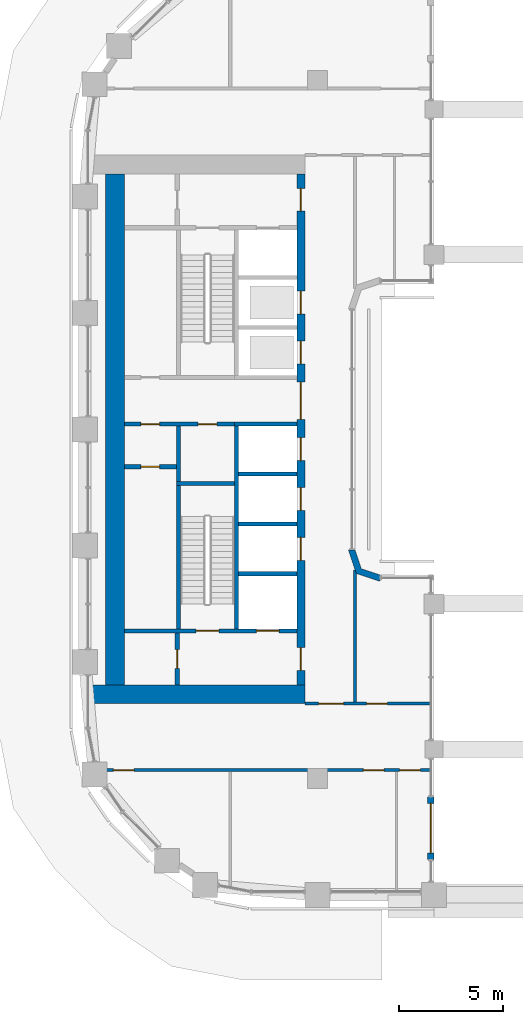
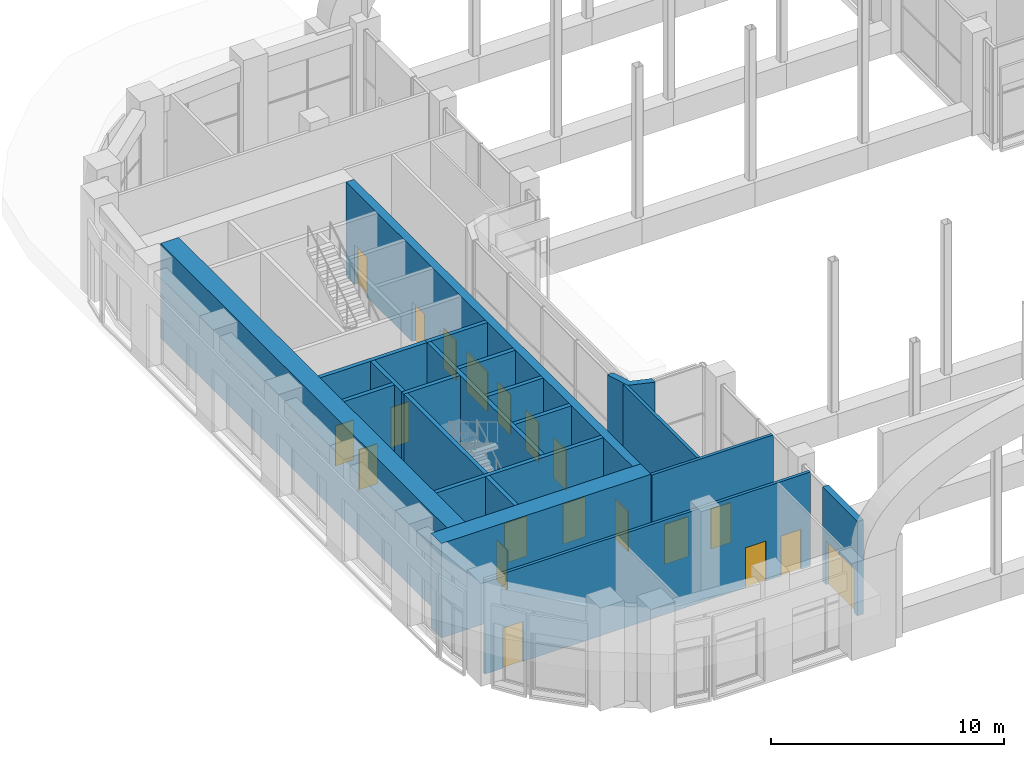
# One storey, part 15 of 28: 20 doors, 20 walls, 20 openings.
"""IFC4 building model written with IfcOpenShell, lengths in metres."""

from ifc_helpers import new_model, si_unit, direction, frame, frame_2d, origin, place, context, subcontext, project, spatial, polyline, rectangle, outline, extrude, material, layer, layer_set, type_object, element, fill, save


model = new_model("IFC4")

# Units and contexts
model_context = context("Model", 3, precision=1e-05, world=origin(), true_north=direction((0.0, 1.0)))
body_context = subcontext(model_context, "Body", "Model", "MODEL_VIEW")
ifc_project = project(units=[si_unit("LENGTHUNIT", "METRE"), si_unit("AREAUNIT", "SQUARE_METRE"), si_unit("VOLUMEUNIT", "CUBIC_METRE"), si_unit("PLANEANGLEUNIT", "RADIAN"), si_unit("MASSUNIT", "GRAM", prefix="KILO")], contexts=[model_context])

# Site, building, storey
site_placement = place(None, origin())
site = spatial("IfcSite", under=ifc_project, at=site_placement, CompositionType="ELEMENT")
building_placement = place(site_placement, origin())
building = spatial("IfcBuilding", under=site, at=building_placement, Name="Kiln Ring Residences", CompositionType="ELEMENT")
storey_placement = place(building_placement, frame((0.0, 0.0, 125.300048828125)))
storey = spatial("IfcBuildingStorey", under=building, at=storey_placement, Name="L32", CompositionType="ELEMENT", Elevation=125.300048828125)

# Wall
ifc_material_1 = material(Name="Gypsum board on steel studs", Category="steel")
ifc_layer_1 = layer(ifc_material_1, 0.199951171875)
ifc_layer_set_1 = layer_set([ifc_layer_1], Name="CORE-PARTITION-200")
wall_type_1 = type_object("IfcWallType", Name="CORE-PARTITION-200", PredefinedType="PARTITIONING", material=ifc_layer_set_1)
wall_1_placement = place(storey_placement, frame((-23.5, -2.5, 0.0), z_axis=(0.0, 0.0, 1.0), x_axis=(0.0, 1.0, 0.0)))
element("IfcWall", 1, at=wall_1_placement, inside=storey, type_object=wall_type_1, Name="Core partition west L32 1", PredefinedType="PARTITIONING", context=body_context, shape_type="SweptSolid", body=[
    extrude(rectangle(XDim=2.64990234375, YDim=0.199951171875, at=frame_2d((1.324951171875, 0.0))), origin(), (0.0, 0.0, 1.0), 4.949951171875),
])

# Wall, openings, doors
wall_2_placement = place(storey_placement, frame((-20.800048828125, 0.25, 0.0), z_axis=(0.0, 0.0, 1.0), x_axis=(-1.0, 0.0, 0.0)))
wall_2 = element("IfcWall", 2, at=wall_2_placement, inside=storey, type_object=wall_type_1, Name="Core partition west L32 2", PredefinedType="PARTITIONING", context=body_context, shape_type="SweptSolid", body=[
    extrude(rectangle(XDim=5.300048828125, YDim=0.199951171875, at=frame_2d((2.64990234375, 0.0))), origin(), (0.0, 0.0, 1.0), 4.949951171875),
])
opening_1_placement = place(wall_2_placement, frame((0.85009765625, 0.0, 0.0)))
opening_1 = element("IfcOpeningElement", 3, at=opening_1_placement, cuts=wall_2, Name="Opening L32-CW15", PredefinedType="OPENING", context=body_context, shape_type="SweptSolid", body=[
    extrude(rectangle(XDim=0.89990234375, YDim=2.10009765625, at=frame_2d((0.449951171875, 1.050048828125))), frame((0.0, 0.10986328125, 0.0), z_axis=(0.0, -1.0, 0.0), x_axis=(1.0, 0.0, 0.0)), (0.0, 0.0, 1.0), 0.219970703125),
])
opening_2_placement = place(wall_2_placement, frame((3.60009765625, 0.0, 0.0)))
opening_2 = element("IfcOpeningElement", 4, at=opening_2_placement, cuts=wall_2, Name="Opening L32-CW17", PredefinedType="OPENING", context=body_context, shape_type="SweptSolid", body=[
    extrude(rectangle(XDim=0.89990234375, YDim=2.10009765625, at=frame_2d((0.449951171875, 1.050048828125))), frame((0.0, 0.10986328125, 0.0), z_axis=(0.0, -1.0, 0.0), x_axis=(1.0, 0.0, 0.0)), (0.0, 0.0, 1.0), 0.219970703125),
])
ifc_material_2 = material(Name="Steel door leaf", Category="steel")
door_type_1 = type_object("IfcDoorType", Name="CORE-DOOR-ROOM", OperationType="SINGLE_SWING_LEFT", PredefinedType="DOOR", material=ifc_material_2)
door_1_placement = place(opening_1_placement, origin())
door_1 = element("IfcDoor", 5, at=door_1_placement, inside=storey, type_object=door_type_1, Name="Linen store L32-CW15", OperationType="SINGLE_SWING_LEFT", OverallHeight=2.10009765625, OverallWidth=0.89990234375, PredefinedType="DOOR", context=body_context, shape_type="SweptSolid", body=[
    extrude(rectangle(XDim=0.89990234375, YDim=2.10009765625, at=frame_2d((0.449951171875, 1.050048828125))), frame((0.0, 0.02490234375, 0.0), z_axis=(0.0, -1.0, 0.0), x_axis=(1.0, 0.0, 0.0)), (0.0, 0.0, 1.0), 0.050048828125),
])
fill(opening_1, door_1)
door_2_placement = place(opening_2_placement, origin())
door_2 = element("IfcDoor", 6, at=door_2_placement, inside=storey, type_object=door_type_1, Name="Pump and valve room L32-CW17", OperationType="SINGLE_SWING_LEFT", OverallHeight=2.10009765625, OverallWidth=0.89990234375, PredefinedType="DOOR", context=body_context, shape_type="SweptSolid", body=[
    extrude(rectangle(XDim=0.89990234375, YDim=2.10009765625, at=frame_2d((0.449951171875, 1.050048828125))), frame((0.0, 0.02490234375, 0.0), z_axis=(0.0, -1.0, 0.0), x_axis=(1.0, 0.0, 0.0)), (0.0, 0.0, 1.0), 0.050048828125),
])
fill(opening_2, door_2)

# Wall, opening, door
wall_3_placement = place(storey_placement, frame((-23.550048828125, -12.300048828125, 0.0), z_axis=(0.0, 0.0, 1.0), x_axis=(0.0, 1.0, 0.0)))
wall_3 = element("IfcWall", 7, at=wall_3_placement, inside=storey, type_object=wall_type_1, Name="Core partition west L32 4", PredefinedType="PARTITIONING", context=body_context, shape_type="SweptSolid", body=[
    extrude(rectangle(XDim=2.5, YDim=0.199951171875, at=frame_2d((1.25, 0.0))), origin(), (0.0, 0.0, 1.0), 4.949951171875),
])
opening_3_placement = place(wall_3_placement, frame((0.800048828125, 0.0, 0.0)))
opening_3 = element("IfcOpeningElement", 8, at=opening_3_placement, cuts=wall_3, Name="Opening L32-CW11", PredefinedType="OPENING", context=body_context, shape_type="SweptSolid", body=[
    extrude(rectangle(XDim=0.89990234375, YDim=2.10009765625, at=frame_2d((0.449951171875, 1.050048828125))), frame((0.0, 0.10986328125, 0.0), z_axis=(0.0, -1.0, 0.0), x_axis=(1.0, 0.0, 0.0)), (0.0, 0.0, 1.0), 0.219970703125),
])
door_3_placement = place(opening_3_placement, origin())
door_3 = element("IfcDoor", 9, at=door_3_placement, inside=storey, type_object=door_type_1, Name="Store L32-CW11", OperationType="SINGLE_SWING_LEFT", OverallHeight=2.10009765625, OverallWidth=0.89990234375, PredefinedType="DOOR", context=body_context, shape_type="SweptSolid", body=[
    extrude(rectangle(XDim=0.89990234375, YDim=2.10009765625, at=frame_2d((0.449951171875, 1.050048828125))), frame((0.0, 0.02490234375, 0.0), z_axis=(0.0, -1.0, 0.0), x_axis=(1.0, 0.0, 0.0)), (0.0, 0.0, 1.0), 0.050048828125),
])
fill(opening_3, door_3)

wall_4_placement = place(storey_placement, frame((-23.60009765625, -1.800048828125, 0.0), z_axis=(0.0, 0.0, 1.0), x_axis=(-1.0, 0.0, 0.0)))
wall_4 = element("IfcWall", 10, at=wall_4_placement, inside=storey, type_object=wall_type_1, Name="Core partition west L32 5", PredefinedType="PARTITIONING", context=body_context, shape_type="SweptSolid", body=[
    extrude(rectangle(XDim=2.5, YDim=0.199951171875, at=frame_2d((1.25, 0.0))), origin(), (0.0, 0.0, 1.0), 4.949951171875),
])
opening_4_placement = place(wall_4_placement, frame((0.800048828125, 0.0, 0.0)))
opening_4 = element("IfcOpeningElement", 11, at=opening_4_placement, cuts=wall_4, Name="Opening L32-CW16", PredefinedType="OPENING", context=body_context, shape_type="SweptSolid", body=[
    extrude(rectangle(XDim=0.89990234375, YDim=2.10009765625, at=frame_2d((0.449951171875, 1.050048828125))), frame((0.0, 0.10986328125, 0.0), z_axis=(0.0, -1.0, 0.0), x_axis=(1.0, 0.0, 0.0)), (0.0, 0.0, 1.0), 0.219970703125),
])
door_4_placement = place(opening_4_placement, origin())
door_4 = element("IfcDoor", 12, at=door_4_placement, inside=storey, type_object=door_type_1, Name="Pump and valve room L32-CW16", OperationType="SINGLE_SWING_LEFT", OverallHeight=2.10009765625, OverallWidth=0.89990234375, PredefinedType="DOOR", context=body_context, shape_type="SweptSolid", body=[
    extrude(rectangle(XDim=0.89990234375, YDim=2.10009765625, at=frame_2d((0.449951171875, 1.050048828125))), frame((0.0, 0.02490234375, 0.0), z_axis=(0.0, -1.0, 0.0), x_axis=(1.0, 0.0, 0.0)), (0.0, 0.0, 1.0), 0.050048828125),
])
fill(opening_4, door_4)

# Walls
ifc_material_3 = material(Name="Gypsum shaft wall system")
ifc_layer_2 = layer(ifc_material_3, 0.199951171875)
ifc_layer_set_2 = layer_set([ifc_layer_2], Name="CORE-SHAFT-WALL-200")
wall_type_2 = type_object("IfcWallType", Name="CORE-SHAFT-WALL-200", PredefinedType="PARTITIONING", material=ifc_layer_set_2)
for number, where, z_axis, x_axis, name in (
    (13, (-17.800048828125, -6.949951171875, 0.0), (0.0, 0.0, 1.0), (-1.0, 0.0, 0.0), "Core partition west L32 6"),
    (14, (-17.800048828125, -4.550048828125, 0.0), (0.0, 0.0, 1.0), (-1.0, 0.0, 0.0), "Core partition west L32 7"),
    (15, (-17.800048828125, -2.14990234375, 0.0), (0.0, 0.0, 1.0), (-1.0, 0.0, 0.0), "Core partition west L32 8"),
):
    element("IfcWall", number, at=place(storey_placement, frame(where, z_axis=z_axis, x_axis=x_axis)), inside=storey, type_object=wall_type_2, Name=name, PredefinedType="PARTITIONING", context=body_context, shape_type="SweptSolid", body=[
        extrude(rectangle(XDim=2.800048828125, YDim=0.199951171875, at=frame_2d((1.39990234375, 0.0))), origin(), (0.0, 0.0, 1.0), 4.949951171875),
    ])
wall_5_placement = place(storey_placement, frame((-17.800048828125, 0.25, 0.0), z_axis=(0.0, 0.0, 1.0), x_axis=(-1.0, 0.0, 0.0)))
element("IfcWall", 16, at=wall_5_placement, inside=storey, type_object=wall_type_2, Name="Core partition west L32 9", PredefinedType="PARTITIONING", context=body_context, shape_type="SweptSolid", body=[
    extrude(rectangle(XDim=3.0, YDim=0.199951171875, at=frame_2d((1.5, 0.0))), origin(), (0.0, 0.0, 1.0), 4.949951171875),
])
ifc_material_4 = material(Name="Concrete C40/50", Category="concrete")
ifc_layer_3 = layer(ifc_material_4, 0.199951171875)
ifc_layer_set_3 = layer_set([ifc_layer_3], Name="CORE-WALL-RC200")
wall_type_3 = type_object("IfcWallType", Name="CORE-WALL-RC200", PredefinedType="SHEAR", material=ifc_layer_set_3)
wall_6_placement = place(storey_placement, frame((-20.699951171875, -9.60009765625, 0.0), z_axis=(0.0, 0.0, 1.0), x_axis=(0.0, 1.0, 0.0)))
element("IfcWall", 17, at=wall_6_placement, inside=storey, type_object=wall_type_3, Name="Core wall west L32 2", PredefinedType="SHEAR", context=body_context, shape_type="SweptSolid", body=[
    extrude(rectangle(XDim=9.75, YDim=0.199951171875, at=frame_2d((4.875, 0.0))), origin(), (0.0, 0.0, 1.0), 4.949951171875),
])

# Wall, openings, doors
wall_7_placement = place(storey_placement, frame((-17.800048828125, -9.699951171875, 0.0), z_axis=(0.0, 0.0, 1.0), x_axis=(-1.0, 0.0, 0.0)))
wall_7 = element("IfcWall", 18, at=wall_7_placement, inside=storey, type_object=wall_type_3, Name="Core wall west L32 8", PredefinedType="SHEAR", context=body_context, shape_type="SweptSolid", body=[
    extrude(rectangle(XDim=8.300048828125, YDim=0.199951171875, at=frame_2d((4.14990234375, 0.0))), origin(), (0.0, 0.0, 1.0), 4.949951171875),
])
opening_5_placement = place(wall_7_placement, frame((0.85009765625, 0.0, 0.0)))
opening_5 = element("IfcOpeningElement", 19, at=opening_5_placement, cuts=wall_7, Name="Opening L32-CW01", PredefinedType="OPENING", context=body_context, shape_type="SweptSolid", body=[
    extrude(rectangle(XDim=1.10009765625, YDim=2.10009765625, at=frame_2d((0.550048828125, 1.050048828125))), frame((0.0, 0.10986328125, 0.0), z_axis=(0.0, -1.0, 0.0), x_axis=(1.0, 0.0, 0.0)), (0.0, 0.0, 1.0), 0.219970703125),
])
opening_6_placement = place(wall_7_placement, frame((3.75, 0.0, 0.0)))
opening_6 = element("IfcOpeningElement", 20, at=opening_6_placement, cuts=wall_7, Name="Opening L32-CW13", PredefinedType="OPENING", context=body_context, shape_type="SweptSolid", body=[
    extrude(rectangle(XDim=1.10009765625, YDim=2.10009765625, at=frame_2d((0.550048828125, 1.050048828125))), frame((0.0, 0.10986328125, 0.0), z_axis=(0.0, -1.0, 0.0), x_axis=(1.0, 0.0, 0.0)), (0.0, 0.0, 1.0), 0.219970703125),
])
ifc_material_5 = material(Name="Steel door leaf", Category="steel")
door_type_2 = type_object("IfcDoorType", Name="CORE-DOOR-LD", OperationType="DOUBLE_DOOR_SLIDING", PredefinedType="DOOR", material=ifc_material_5)
door_5_placement = place(opening_5_placement, origin())
door_5 = element("IfcDoor", 21, at=door_5_placement, inside=storey, type_object=door_type_2, Name="LD W-SV L32-CW01", OperationType="DOUBLE_DOOR_SLIDING", OverallHeight=2.10009765625, OverallWidth=1.10009765625, PredefinedType="DOOR", context=body_context, shape_type="SweptSolid", body=[
    extrude(rectangle(XDim=1.10009765625, YDim=2.10009765625, at=frame_2d((0.550048828125, 1.050048828125))), frame((0.0, 0.02490234375, 0.0), z_axis=(0.0, -1.0, 0.0), x_axis=(1.0, 0.0, 0.0)), (0.0, 0.0, 1.0), 0.050048828125),
])
fill(opening_5, door_5)
ifc_material_6 = material(Name="Steel door leaf", Category="steel")
door_type_3 = type_object("IfcDoorType", Name="CORE-DOOR-STAIR", OperationType="SINGLE_SWING_LEFT", PredefinedType="DOOR", material=ifc_material_6)
door_6_placement = place(opening_6_placement, origin())
door_6 = element("IfcDoor", 22, at=door_6_placement, inside=storey, type_object=door_type_3, Name="Stair W-STS L32-CW13", OperationType="SINGLE_SWING_RIGHT", OverallHeight=2.10009765625, OverallWidth=1.10009765625, PredefinedType="DOOR", context=body_context, shape_type="SweptSolid", body=[
    extrude(rectangle(XDim=1.10009765625, YDim=2.10009765625, at=frame_2d((0.550048828125, 1.050048828125))), frame((0.0, 0.02490234375, 0.0), z_axis=(0.0, -1.0, 0.0), x_axis=(1.0, 0.0, 0.0)), (0.0, 0.0, 1.0), 0.050048828125),
])
fill(opening_6, door_6)

# Walls
wall_8_placement = place(storey_placement, frame((-23.5, -9.60009765625, 0.0), z_axis=(0.0, 0.0, 1.0), x_axis=(0.0, 1.0, 0.0)))
element("IfcWall", 23, at=wall_8_placement, inside=storey, type_object=wall_type_3, Name="Core wall west L32 11", PredefinedType="SHEAR", context=body_context, shape_type="SweptSolid", body=[
    extrude(rectangle(XDim=6.900146484375, YDim=0.199951171875, at=frame_2d((3.4501953125, 0.0))), origin(), (0.0, 0.0, 1.0), 4.949951171875),
])
wall_9_placement = place(storey_placement, frame((-20.800048828125, -2.60009765625, 0.0), z_axis=(0.0, 0.0, 1.0), x_axis=(-1.0, 0.0, 0.0)))
element("IfcWall", 24, at=wall_9_placement, inside=storey, type_object=wall_type_3, Name="Core wall west L32 12", PredefinedType="SHEAR", context=body_context, shape_type="SweptSolid", body=[
    extrude(rectangle(XDim=2.800048828125, YDim=0.199951171875, at=frame_2d((1.39990234375, 0.0))), origin(), (0.0, 0.0, 1.0), 4.949951171875),
])

# Wall, openings, doors
ifc_material_7 = material(Name="Concrete C60/75", Category="concrete")
ifc_layer_4 = layer(ifc_material_7, 0.39990234375)
ifc_layer_set_4 = layer_set([ifc_layer_4], Name="CORE-WALL-RC400")
wall_type_4 = type_object("IfcWallType", Name="CORE-WALL-RC400", PredefinedType="SHEAR", material=ifc_layer_set_4)
wall_10_placement = place(storey_placement, frame((-17.60009765625, -12.300048828125, 0.0), z_axis=(0.0, 0.0, 1.0), x_axis=(0.0, 1.0, 0.0)))
wall_10 = element("IfcWall", 25, at=wall_10_placement, inside=storey, type_object=wall_type_4, Name="Core wall west L32 6", PredefinedType="SHEAR", context=body_context, shape_type="SweptSolid", body=[
    extrude(rectangle(XDim=24.60009765625, YDim=0.39990234375, at=frame_2d((12.300048828125, 0.0))), origin(), (0.0, 0.0, 1.0), 4.949951171875),
])
opening_7_placement = place(wall_10_placement, frame((6.0, 0.0, 0.0)))
opening_7 = element("IfcOpeningElement", 26, at=opening_7_placement, cuts=wall_10, Name="Opening L32-CW02", PredefinedType="OPENING", context=body_context, shape_type="SweptSolid", body=[
    extrude(rectangle(XDim=1.10009765625, YDim=2.10009765625, at=frame_2d((0.550048828125, 1.050048828125))), frame((0.0, 0.2099609375, 0.0), z_axis=(0.0, -1.0, 0.0), x_axis=(1.0, 0.0, 0.0)), (0.0, 0.0, 1.0), 0.419921875),
])
opening_8_placement = place(wall_10_placement, frame((8.39990234375, 0.0, 0.0)))
opening_8 = element("IfcOpeningElement", 27, at=opening_8_placement, cuts=wall_10, Name="Opening L32-CW03", PredefinedType="OPENING", context=body_context, shape_type="SweptSolid", body=[
    extrude(rectangle(XDim=1.10009765625, YDim=2.10009765625, at=frame_2d((0.550048828125, 1.050048828125))), frame((0.0, 0.2099609375, 0.0), z_axis=(0.0, -1.0, 0.0), x_axis=(1.0, 0.0, 0.0)), (0.0, 0.0, 1.0), 0.419921875),
])
opening_9_placement = place(wall_10_placement, frame((10.800048828125, 0.0, 0.0)))
opening_9 = element("IfcOpeningElement", 28, at=opening_9_placement, cuts=wall_10, Name="Opening L32-CW04", PredefinedType="OPENING", context=body_context, shape_type="SweptSolid", body=[
    extrude(rectangle(XDim=1.10009765625, YDim=2.10009765625, at=frame_2d((0.550048828125, 1.050048828125))), frame((0.0, 0.2099609375, 0.0), z_axis=(0.0, -1.0, 0.0), x_axis=(1.0, 0.0, 0.0)), (0.0, 0.0, 1.0), 0.419921875),
])
opening_10_placement = place(wall_10_placement, frame((15.449951171875, 0.0, 0.0)))
opening_10 = element("IfcOpeningElement", 29, at=opening_10_placement, cuts=wall_10, Name="Opening L32-CW05", PredefinedType="OPENING", context=body_context, shape_type="SweptSolid", body=[
    extrude(rectangle(XDim=1.10009765625, YDim=2.10009765625, at=frame_2d((0.550048828125, 1.050048828125))), frame((0.0, 0.2099609375, 0.0), z_axis=(0.0, -1.0, 0.0), x_axis=(1.0, 0.0, 0.0)), (0.0, 0.0, 1.0), 0.419921875),
])
opening_11_placement = place(wall_10_placement, frame((17.85009765625, 0.0, 0.0)))
opening_11 = element("IfcOpeningElement", 30, at=opening_11_placement, cuts=wall_10, Name="Opening L32-CW06", PredefinedType="OPENING", context=body_context, shape_type="SweptSolid", body=[
    extrude(rectangle(XDim=1.10009765625, YDim=2.10009765625, at=frame_2d((0.550048828125, 1.050048828125))), frame((0.0, 0.2099609375, 0.0), z_axis=(0.0, -1.0, 0.0), x_axis=(1.0, 0.0, 0.0)), (0.0, 0.0, 1.0), 0.419921875),
])
opening_12_placement = place(wall_10_placement, frame((22.800048828125, 0.0, 0.0)))
opening_12 = element("IfcOpeningElement", 31, at=opening_12_placement, cuts=wall_10, Name="Opening L32-CW08", PredefinedType="OPENING", context=body_context, shape_type="SweptSolid", body=[
    extrude(rectangle(XDim=1.10009765625, YDim=2.10009765625, at=frame_2d((0.550048828125, 1.050048828125))), frame((0.0, 0.2099609375, 0.0), z_axis=(0.0, -1.0, 0.0), x_axis=(1.0, 0.0, 0.0)), (0.0, 0.0, 1.0), 0.419921875),
])
opening_13_placement = place(wall_10_placement, frame((0.699951171875, 0.0, 0.0)))
opening_13 = element("IfcOpeningElement", 32, at=opening_13_placement, cuts=wall_10, Name="Opening L32-CW09", PredefinedType="OPENING", context=body_context, shape_type="SweptSolid", body=[
    extrude(rectangle(XDim=1.10009765625, YDim=2.10009765625, at=frame_2d((0.550048828125, 1.050048828125))), frame((0.0, 0.2099609375, 0.0), z_axis=(0.0, -1.0, 0.0), x_axis=(1.0, 0.0, 0.0)), (0.0, 0.0, 1.0), 0.419921875),
])
opening_14_placement = place(wall_10_placement, frame((12.77490234375, 0.0, 0.0)))
opening_14 = element("IfcOpeningElement", 33, at=opening_14_placement, cuts=wall_10, Name="Opening L32-CW14", PredefinedType="OPENING", context=body_context, shape_type="SweptSolid", body=[
    extrude(rectangle(XDim=1.800048828125, YDim=2.10009765625, at=frame_2d((0.89990234375, 1.050048828125))), frame((0.0, 0.2099609375, 0.0), z_axis=(0.0, -1.0, 0.0), x_axis=(1.0, 0.0, 0.0)), (0.0, 0.0, 1.0), 0.419921875),
])
door_7_placement = place(opening_7_placement, origin())
door_7 = element("IfcDoor", 34, at=door_7_placement, inside=storey, type_object=door_type_2, Name="LD W-L1 L32-CW02", OperationType="DOUBLE_DOOR_SLIDING", OverallHeight=2.10009765625, OverallWidth=1.10009765625, PredefinedType="DOOR", context=body_context, shape_type="SweptSolid", body=[
    extrude(rectangle(XDim=1.10009765625, YDim=2.10009765625, at=frame_2d((0.550048828125, 1.050048828125))), frame((0.0, 0.02490234375, 0.0), z_axis=(0.0, -1.0, 0.0), x_axis=(1.0, 0.0, 0.0)), (0.0, 0.0, 1.0), 0.050048828125),
])
fill(opening_7, door_7)
door_8_placement = place(opening_8_placement, origin())
door_8 = element("IfcDoor", 35, at=door_8_placement, inside=storey, type_object=door_type_2, Name="LD W-L2 L32-CW03", OperationType="DOUBLE_DOOR_SLIDING", OverallHeight=2.10009765625, OverallWidth=1.10009765625, PredefinedType="DOOR", context=body_context, shape_type="SweptSolid", body=[
    extrude(rectangle(XDim=1.10009765625, YDim=2.10009765625, at=frame_2d((0.550048828125, 1.050048828125))), frame((0.0, 0.02490234375, 0.0), z_axis=(0.0, -1.0, 0.0), x_axis=(1.0, 0.0, 0.0)), (0.0, 0.0, 1.0), 0.050048828125),
])
fill(opening_8, door_8)
door_9_placement = place(opening_9_placement, origin())
door_9 = element("IfcDoor", 36, at=door_9_placement, inside=storey, type_object=door_type_2, Name="LD W-L3 L32-CW04", OperationType="DOUBLE_DOOR_SLIDING", OverallHeight=2.10009765625, OverallWidth=1.10009765625, PredefinedType="DOOR", context=body_context, shape_type="SweptSolid", body=[
    extrude(rectangle(XDim=1.10009765625, YDim=2.10009765625, at=frame_2d((0.550048828125, 1.050048828125))), frame((0.0, 0.02490234375, 0.0), z_axis=(0.0, -1.0, 0.0), x_axis=(1.0, 0.0, 0.0)), (0.0, 0.0, 1.0), 0.050048828125),
])
fill(opening_9, door_9)
door_10_placement = place(opening_10_placement, origin())
door_10 = element("IfcDoor", 37, at=door_10_placement, inside=storey, type_object=door_type_2, Name="LD W-M1 L32-CW05", OperationType="DOUBLE_DOOR_SLIDING", OverallHeight=2.10009765625, OverallWidth=1.10009765625, PredefinedType="DOOR", context=body_context, shape_type="SweptSolid", body=[
    extrude(rectangle(XDim=1.10009765625, YDim=2.10009765625, at=frame_2d((0.550048828125, 1.050048828125))), frame((0.0, 0.02490234375, 0.0), z_axis=(0.0, -1.0, 0.0), x_axis=(1.0, 0.0, 0.0)), (0.0, 0.0, 1.0), 0.050048828125),
])
fill(opening_10, door_10)
door_11_placement = place(opening_11_placement, origin())
door_11 = element("IfcDoor", 38, at=door_11_placement, inside=storey, type_object=door_type_2, Name="LD W-M2 L32-CW06", OperationType="DOUBLE_DOOR_SLIDING", OverallHeight=2.10009765625, OverallWidth=1.10009765625, PredefinedType="DOOR", context=body_context, shape_type="SweptSolid", body=[
    extrude(rectangle(XDim=1.10009765625, YDim=2.10009765625, at=frame_2d((0.550048828125, 1.050048828125))), frame((0.0, 0.02490234375, 0.0), z_axis=(0.0, -1.0, 0.0), x_axis=(1.0, 0.0, 0.0)), (0.0, 0.0, 1.0), 0.050048828125),
])
fill(opening_11, door_11)
ifc_material_8 = material(Name="Steel door leaf", Category="steel")
door_type_4 = type_object("IfcDoorType", Name="CORE-DOOR-LOBBY", OperationType="SINGLE_SWING_LEFT", PredefinedType="DOOR", material=ifc_material_8)
door_12_placement = place(opening_12_placement, origin())
door_12 = element("IfcDoor", 39, at=door_12_placement, inside=storey, type_object=door_type_4, Name="FFL L32-CW08", OperationType="SINGLE_SWING_LEFT", OverallHeight=2.10009765625, OverallWidth=1.10009765625, PredefinedType="DOOR", context=body_context, shape_type="SweptSolid", body=[
    extrude(rectangle(XDim=1.10009765625, YDim=2.10009765625, at=frame_2d((0.550048828125, 1.050048828125))), frame((0.0, 0.02490234375, 0.0), z_axis=(0.0, -1.0, 0.0), x_axis=(1.0, 0.0, 0.0)), (0.0, 0.0, 1.0), 0.050048828125),
])
fill(opening_12, door_12)
door_13_placement = place(opening_13_placement, origin())
door_13 = element("IfcDoor", 40, at=door_13_placement, inside=storey, type_object=door_type_4, Name="SVL L32-CW09", OperationType="SINGLE_SWING_RIGHT", OverallHeight=2.10009765625, OverallWidth=1.10009765625, PredefinedType="DOOR", context=body_context, shape_type="SweptSolid", body=[
    extrude(rectangle(XDim=1.10009765625, YDim=2.10009765625, at=frame_2d((0.550048828125, 1.050048828125))), frame((0.0, 0.02490234375, 0.0), z_axis=(0.0, -1.0, 0.0), x_axis=(1.0, 0.0, 0.0)), (0.0, 0.0, 1.0), 0.050048828125),
])
fill(opening_13, door_13)
ifc_material_9 = material(Name="Steel door leaf", Category="steel")
door_type_5 = type_object("IfcDoorType", Name="CORE-DOOR-PASS", OperationType="DOUBLE_DOOR_SINGLE_SWING", PredefinedType="DOOR", material=ifc_material_9)
door_14_placement = place(opening_14_placement, origin())
door_14 = element("IfcDoor", 41, at=door_14_placement, inside=storey, type_object=door_type_5, Name="Core passage L32-CW14", OperationType="DOUBLE_DOOR_SINGLE_SWING", OverallHeight=2.10009765625, OverallWidth=1.800048828125, PredefinedType="DOOR", context=body_context, shape_type="SweptSolid", body=[
    extrude(rectangle(XDim=1.800048828125, YDim=2.10009765625, at=frame_2d((0.89990234375, 1.050048828125))), frame((0.0, 0.02490234375, 0.0), z_axis=(0.0, -1.0, 0.0), x_axis=(1.0, 0.0, 0.0)), (0.0, 0.0, 1.0), 0.050048828125),
])
fill(opening_14, door_14)

# Walls
ifc_material_10 = material(Name="Concrete C60/75", Category="concrete")
ifc_layer_5 = layer(ifc_material_10, 0.89990234375)
ifc_layer_set_5 = layer_set([ifc_layer_5], Name="CORE-WALL-RC900")
wall_type_5 = type_object("IfcWallType", Name="CORE-WALL-RC900", PredefinedType="SHEAR", material=ifc_layer_set_5)
wall_11_placement = place(storey_placement, frame((-17.39990234375, -12.75, 0.0), z_axis=(0.0, 0.0, 1.0), x_axis=(-1.0, 0.0, 0.0)))
element("IfcWall", 42, at=wall_11_placement, inside=storey, type_object=wall_type_5, Name="Core wall west L32 5", PredefinedType="SHEAR", context=body_context, shape_type="SweptSolid", body=[
    extrude(rectangle(XDim=10.400146484375, YDim=0.89990234375, at=frame_2d((5.2001953125, 0.0))), origin(), (0.0, 0.0, 1.0), 4.949951171875),
])
wall_12_placement = place(storey_placement, frame((-26.550048828125, -12.300048828125, 0.0), z_axis=(0.0, 0.0, 1.0), x_axis=(0.0, 1.0, 0.0)))
element("IfcWall", 43, at=wall_12_placement, inside=storey, type_object=wall_type_5, Name="Core wall west L32 7", PredefinedType="SHEAR", context=body_context, shape_type="SweptSolid", body=[
    extrude(rectangle(XDim=24.60009765625, YDim=0.89990234375, at=frame_2d((12.300048828125, 0.0))), origin(), (0.0, 0.0, 1.0), 4.949951171875),
])

# Wall, opening, door
ifc_material_11 = material(Name="Brick masonry, dark clay brick", Category="masonry")
ifc_layer_6 = layer(ifc_material_11, 0.300048828125)
ifc_layer_set_6 = layer_set([ifc_layer_6], Name="EW-300 BRICK WALL")
wall_type_6 = type_object("IfcWallType", Name="EW-300 BRICK WALL", PredefinedType="SOLIDWALL", material=ifc_layer_set_6)
wall_13_placement = place(storey_placement, frame((-11.35009765625, -20.699951171875, 0.0), z_axis=(0.0, 0.0, 1.0), x_axis=(0.0, 1.0, 0.0)))
wall_13 = element("IfcWall", 44, at=wall_13_placement, inside=storey, type_object=wall_type_6, Name="Facade wall L32 1", PredefinedType="SOLIDWALL", context=body_context, shape_type="SweptSolid", body=[
    extrude(rectangle(XDim=3.0, YDim=0.300048828125, at=frame_2d((1.5, 0.0))), origin(), (0.0, 0.0, 1.0), 4.949951171875),
])
opening_15_placement = place(wall_13_placement, frame((0.300048828125, 0.0, 0.0)))
opening_15 = element("IfcOpeningElement", 45, at=opening_15_placement, cuts=wall_13, Name="Opening EL32-1", PredefinedType="OPENING", context=body_context, shape_type="SweptSolid", body=[
    extrude(rectangle(XDim=2.39990234375, YDim=2.300048828125, at=frame_2d((1.199951171875, 1.14990234375))), frame((0.0, 0.159912109375, 0.0), z_axis=(0.0, -1.0, 0.0), x_axis=(1.0, 0.0, 0.0)), (0.0, 0.0, 1.0), 0.320068359375),
])
ifc_material_12 = material(Name="Aluminium and glass", Category="aluminium")
door_type_6 = type_object("IfcDoorType", Name="TERRACE DOOR 2400 x 2300", OperationType="DOUBLE_DOOR_SINGLE_SWING", PredefinedType="DOOR", material=ifc_material_12)
door_15_placement = place(opening_15_placement, origin())
door_15 = element("IfcDoor", 46, at=door_15_placement, inside=storey, type_object=door_type_6, Name="Terrace door EL32-1", OperationType="SINGLE_SWING_LEFT", OverallHeight=2.300048828125, OverallWidth=2.39990234375, PredefinedType="DOOR", context=body_context, shape_type="SweptSolid", body=[
    extrude(rectangle(XDim=2.39990234375, YDim=2.300048828125, at=frame_2d((1.199951171875, 1.14990234375))), frame((0.0, 0.02490234375, 0.0), z_axis=(0.0, -1.0, 0.0), x_axis=(1.0, 0.0, 0.0)), (0.0, 0.0, 1.0), 0.050048828125),
])
fill(opening_15, door_15)

# Wall
wall_14_placement = place(storey_placement, origin())
element("IfcWall", 47, at=wall_14_placement, inside=storey, type_object=wall_type_6, Name="Corner wall L32 2", PredefinedType="SOLIDWALL", context=body_context, shape_type="SweptSolid", body=[
    extrude(outline(polyline([(-13.800048828125, -7.0), (-14.699951171875, -6.699951171875), (-15.0, -5.800048828125), (-15.300048828125, -5.800048828125), (-15.300048828125, -5.8486328125), (-14.937255859375, -6.937255859375), (-13.8486328125, -7.300048828125), (-13.800048828125, -7.300048828125), (-13.800048828125, -7.0)])), origin(), (0.0, 0.0, 1.0), 4.949951171875),
])

# Wall, openings, doors
ifc_material_13 = material(Name="Brick masonry partition", Category="masonry")
ifc_layer_7 = layer(ifc_material_13, 0.14990234375)
ifc_layer_set_7 = layer_set([ifc_layer_7], Name="PARTITION-150-ei60")
wall_type_7 = type_object("IfcWallType", Name="PARTITION-150-ei60", PredefinedType="PARTITIONING", material=ifc_layer_set_7)
wall_15_placement = place(storey_placement, frame((-27.52001953125, -16.39990234375, 0.0), z_axis=(0.0, 0.0, 1.0), x_axis=(1.0, 0.0, 0.0)))
wall_15 = element("IfcWall", 48, at=wall_15_placement, inside=storey, type_object=wall_type_7, Name="Partition 000", PredefinedType="PARTITIONING", context=body_context, shape_type="SweptSolid", body=[
    extrude(rectangle(XDim=16.135986328125, YDim=0.14990234375, at=frame_2d((8.06787109375, 0.0))), origin(), (0.0, 0.0, 1.0), 4.949951171875),
])
opening_16_placement = place(wall_15_placement, frame((14.669921875, 0.0, 0.0)))
opening_16 = element("IfcOpeningElement", 49, at=opening_16_placement, cuts=wall_15, Name="Opening L32-D013", PredefinedType="OPENING", context=body_context, shape_type="SweptSolid", body=[
    extrude(rectangle(XDim=1.0, YDim=2.10009765625, at=frame_2d((0.5, 1.050048828125))), frame((0.0, 0.0849609375, 0.0), z_axis=(0.0, -1.0, 0.0), x_axis=(1.0, 0.0, 0.0)), (0.0, 0.0, 1.0), 0.169921875),
])
opening_17_placement = place(wall_15_placement, frame((12.919921875, 0.0, 0.0)))
opening_17 = element("IfcOpeningElement", 50, at=opening_17_placement, cuts=wall_15, Name="Opening L32-D014", PredefinedType="OPENING", context=body_context, shape_type="SweptSolid", body=[
    extrude(rectangle(XDim=1.0, YDim=2.10009765625, at=frame_2d((0.5, 1.050048828125))), frame((0.0, 0.0849609375, 0.0), z_axis=(0.0, -1.0, 0.0), x_axis=(1.0, 0.0, 0.0)), (0.0, 0.0, 1.0), 0.169921875),
])
opening_18_placement = place(wall_15_placement, frame((0.89306640625, 0.0, 0.0)))
opening_18 = element("IfcOpeningElement", 51, at=opening_18_placement, cuts=wall_15, Name="Opening L32-D015", PredefinedType="OPENING", context=body_context, shape_type="SweptSolid", body=[
    extrude(rectangle(XDim=1.0, YDim=2.10009765625, at=frame_2d((0.5, 1.050048828125))), frame((0.0, 0.0849609375, 0.0), z_axis=(0.0, -1.0, 0.0), x_axis=(1.0, 0.0, 0.0)), (0.0, 0.0, 1.0), 0.169921875),
])
ifc_material_14 = material(Name="Steel faced fire door leaf", Category="steel")
door_type_7 = type_object("IfcDoorType", Name="FLAT-DOOR-1000-FR", OperationType="SINGLE_SWING_LEFT", PredefinedType="DOOR", material=ifc_material_14)
door_16_placement = place(opening_16_placement, origin())
door_16 = element("IfcDoor", 52, at=door_16_placement, inside=storey, type_object=door_type_7, Name="Door L32-D013", OperationType="SINGLE_SWING_LEFT", OverallHeight=2.10009765625, OverallWidth=1.0, PredefinedType="DOOR", context=body_context, shape_type="SweptSolid", body=[
    extrude(rectangle(XDim=1.0, YDim=2.10009765625, at=frame_2d((0.5, 1.050048828125))), frame((0.0, 0.02490234375, 0.0), z_axis=(0.0, -1.0, 0.0), x_axis=(1.0, 0.0, 0.0)), (0.0, 0.0, 1.0), 0.050048828125),
])
fill(opening_16, door_16)
door_17_placement = place(opening_17_placement, origin())
door_17 = element("IfcDoor", 53, at=door_17_placement, inside=storey, type_object=door_type_7, Name="Door L32-D014", OperationType="SINGLE_SWING_RIGHT", OverallHeight=2.10009765625, OverallWidth=1.0, PredefinedType="DOOR", context=body_context, shape_type="SweptSolid", body=[
    extrude(rectangle(XDim=1.0, YDim=2.10009765625, at=frame_2d((0.5, 1.050048828125))), frame((0.0, 0.02490234375, 0.0), z_axis=(0.0, -1.0, 0.0), x_axis=(1.0, 0.0, 0.0)), (0.0, 0.0, 1.0), 0.050048828125),
])
fill(opening_17, door_17)
door_18_placement = place(opening_18_placement, origin())
door_18 = element("IfcDoor", 54, at=door_18_placement, inside=storey, type_object=door_type_7, Name="Door L32-D015", OperationType="SINGLE_SWING_LEFT", OverallHeight=2.10009765625, OverallWidth=1.0, PredefinedType="DOOR", context=body_context, shape_type="SweptSolid", body=[
    extrude(rectangle(XDim=1.0, YDim=2.10009765625, at=frame_2d((0.5, 1.050048828125))), frame((0.0, 0.02490234375, 0.0), z_axis=(0.0, -1.0, 0.0), x_axis=(1.0, 0.0, 0.0)), (0.0, 0.0, 1.0), 0.050048828125),
])
fill(opening_18, door_18)

wall_16_placement = place(storey_placement, frame((-17.39990234375, -13.199951171875, 0.0), z_axis=(0.0, 0.0, 1.0), x_axis=(1.0, 0.0, 0.0)))
wall_16 = element("IfcWall", 55, at=wall_16_placement, inside=storey, type_object=wall_type_7, Name="Partition 002", PredefinedType="PARTITIONING", context=body_context, shape_type="SweptSolid", body=[
    extrude(rectangle(XDim=6.015869140625, YDim=0.14990234375, at=frame_2d((3.0078125, 0.0))), origin(), (0.0, 0.0, 1.0), 4.949951171875),
])
opening_19_placement = place(wall_16_placement, frame((0.64990234375, 0.0, 0.0)))
opening_19 = element("IfcOpeningElement", 56, at=opening_19_placement, cuts=wall_16, Name="Opening L32-D011", PredefinedType="OPENING", context=body_context, shape_type="SweptSolid", body=[
    extrude(rectangle(XDim=1.199951171875, YDim=2.10009765625, at=frame_2d((0.60009765625, 1.050048828125))), frame((0.0, 0.0849609375, 0.0), z_axis=(0.0, -1.0, 0.0), x_axis=(1.0, 0.0, 0.0)), (0.0, 0.0, 1.0), 0.169921875),
])
opening_20_placement = place(wall_16_placement, frame((2.9599609375, 0.0, 0.0)))
opening_20 = element("IfcOpeningElement", 57, at=opening_20_placement, cuts=wall_16, Name="Opening L32-D012", PredefinedType="OPENING", context=body_context, shape_type="SweptSolid", body=[
    extrude(rectangle(XDim=1.0, YDim=2.10009765625, at=frame_2d((0.5, 1.050048828125))), frame((0.0, 0.0849609375, 0.0), z_axis=(0.0, -1.0, 0.0), x_axis=(1.0, 0.0, 0.0)), (0.0, 0.0, 1.0), 0.169921875),
])
door_19_placement = place(opening_20_placement, origin())
door_19 = element("IfcDoor", 58, at=door_19_placement, inside=storey, type_object=door_type_7, Name="Door L32-D012", OperationType="SINGLE_SWING_RIGHT", OverallHeight=2.10009765625, OverallWidth=1.0, PredefinedType="DOOR", context=body_context, shape_type="SweptSolid", body=[
    extrude(rectangle(XDim=1.0, YDim=2.10009765625, at=frame_2d((0.5, 1.050048828125))), frame((0.0, 0.02490234375, 0.0), z_axis=(0.0, -1.0, 0.0), x_axis=(1.0, 0.0, 0.0)), (0.0, 0.0, 1.0), 0.050048828125),
])
fill(opening_20, door_19)
ifc_material_15 = material(Name="Steel faced fire door leaf", Category="steel")
door_type_8 = type_object("IfcDoorType", Name="FLAT-DOOR-1200-FR", OperationType="SINGLE_SWING_LEFT", PredefinedType="DOOR", material=ifc_material_15)
door_20_placement = place(opening_19_placement, origin())
door_20 = element("IfcDoor", 59, at=door_20_placement, inside=storey, type_object=door_type_8, Name="Door L32-D011", OperationType="SINGLE_SWING_RIGHT", OverallHeight=2.10009765625, OverallWidth=1.199951171875, PredefinedType="DOOR", context=body_context, shape_type="SweptSolid", body=[
    extrude(rectangle(XDim=1.199951171875, YDim=2.10009765625, at=frame_2d((0.60009765625, 1.050048828125))), frame((0.0, 0.02490234375, 0.0), z_axis=(0.0, -1.0, 0.0), x_axis=(1.0, 0.0, 0.0)), (0.0, 0.0, 1.0), 0.050048828125),
])
fill(opening_19, door_20)

# Wall
wall_17_placement = place(storey_placement, frame((-15.0, -13.125, 0.0), z_axis=(0.0, 0.0, 1.0), x_axis=(0.0, 1.0, 0.0)))
element("IfcWall", 60, at=wall_17_placement, inside=storey, type_object=wall_type_7, Name="Partition 010", PredefinedType="PARTITIONING", context=body_context, shape_type="SweptSolid", body=[
    extrude(rectangle(XDim=6.356201171875, YDim=0.14990234375, at=frame_2d((3.17822265625, 0.0))), origin(), (0.0, 0.0, 1.0), 4.949951171875),
])

save(model, "model.ifc")
